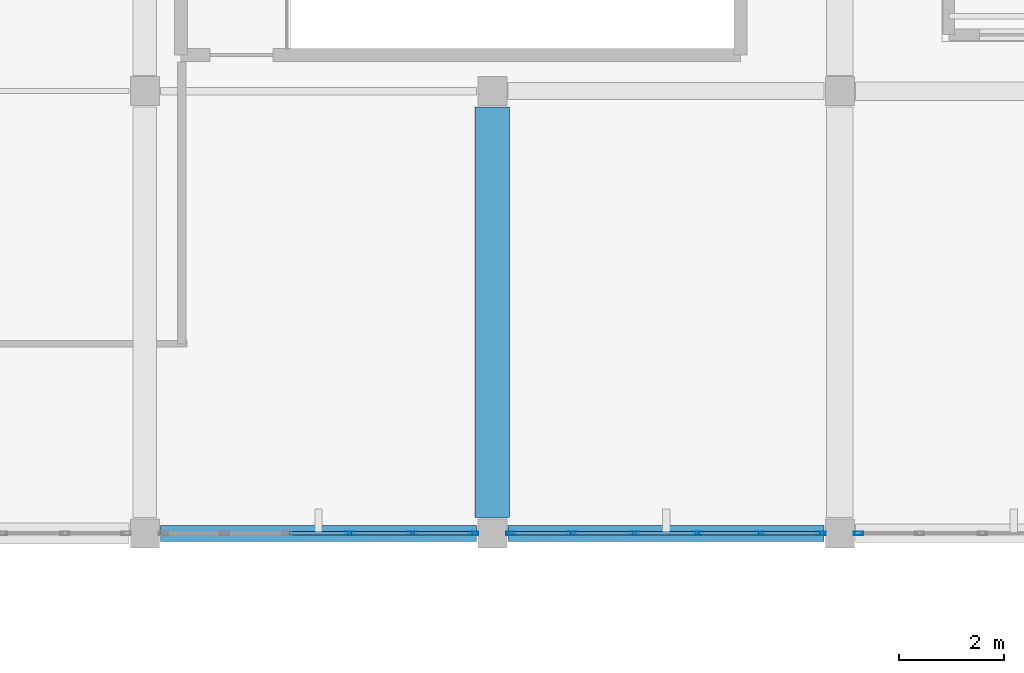
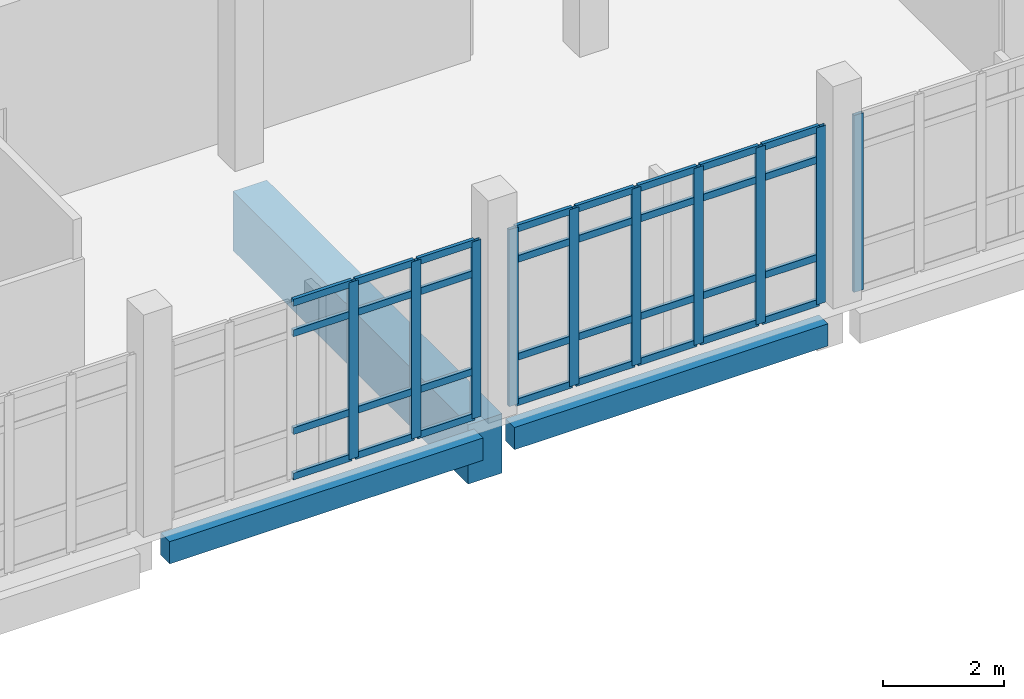
# One storey, part 83 of 134: 42 members, 3 beams, 3 elements without a shape of their own.
"""IFC4 building model written with IfcOpenShell, lengths in metres."""

from ifc_helpers import new_model, si_unit, direction, frame, origin, origin_2d, place, context, subcontext, project, spatial, rectangle, hollow_rectangle, extrude, material, material_profile, profile_set, type_object, element, aggregate, save


model = new_model("IFC4")

# Units and contexts
model_context = context("Model", 3, precision=1e-05, world=origin(), true_north=direction((0.0, 1.0)))
body_context = subcontext(model_context, "Body", "Model", "MODEL_VIEW")
ifc_project = project(units=[si_unit("LENGTHUNIT", "METRE"), si_unit("AREAUNIT", "SQUARE_METRE"), si_unit("VOLUMEUNIT", "CUBIC_METRE"), si_unit("PLANEANGLEUNIT", "RADIAN"), si_unit("MASSUNIT", "GRAM", prefix="KILO")], contexts=[model_context])

# Site, building, storey
site_placement = place(None, origin())
site = spatial("IfcSite", under=ifc_project, at=site_placement, CompositionType="ELEMENT")
building_placement = place(site_placement, origin())
building = spatial("IfcBuilding", under=site, at=building_placement, Name="Kalluvel Institute of Natural Sciences", CompositionType="ELEMENT")
storey_placement = place(building_placement, frame((0.0, 0.0, 5.39990234375)))
storey = spatial("IfcBuildingStorey", under=building, at=storey_placement, Name="L01", CompositionType="ELEMENT", Elevation=5.39990234375)

# Beam
ifc_material_1 = material(Name="Concrete M50", Category="concrete")
ifc_material_profile_1 = material_profile(ifc_material_1, rectangle(XDim=0.64990234375, YDim=1.199951171875, at=origin_2d()), Name="RCB 650x1200")
ifc_profile_set_1 = profile_set([ifc_material_profile_1], Name="Concrete M50")
beam_type_1 = type_object("IfcBeamType", Name="BM-RC650x1200", PredefinedType="BEAM", material=ifc_profile_set_1)
beam_placement = place(storey_placement, frame((155.60009765625, 103.10009765625, -0.9599609375), z_axis=(0.0, 1.0, 0.0), x_axis=(-1.0, 0.0, 0.0)))
element("IfcBeam", 1, at=beam_placement, inside=storey, type_object=beam_type_1, Name="L01 girder GIR-L01-NS-X1556-Y1028", PredefinedType="BEAM", context=body_context, shape_type="SweptSolid", body=[
    extrude(rectangle(XDim=0.64990234375, YDim=1.199951171875, at=origin_2d()), origin(), (0.0, 0.0, 1.0), 7.7998046875),
])

# Curtain wall, members
ifc_material_2 = material(Name="Aluminium AW-6063 T6", Category="aluminium")
curtain_wall_type = type_object("IfcCurtainWallType", Name="CW-CLN-45", PredefinedType="USERDEFINED", material=ifc_material_2)
curtain_wall_1_placement = place(storey_placement, origin())
curtain_wall_1 = element("IfcCurtainWall", 2, at=curtain_wall_1_placement, inside=storey, type_object=curtain_wall_type, Name="L01 Gothic lancet curtain wall CWA-L01-X1493-Y1028", ObjectType="UNITISED LANCET FACADE", PredefinedType="USERDEFINED")
ifc_material_profile_2 = material_profile(ifc_material_2, hollow_rectangle(XDim=0.06494140625, YDim=0.179931640625, WallThickness=0.00439453125, at=origin_2d()), Name="CWM 65x180")
ifc_profile_set_2 = profile_set([ifc_material_profile_2], Name="Aluminium AW-6063 T6")
member_type_1 = type_object("IfcMemberType", Name="CWM-65x180", PredefinedType="MULLION", material=ifc_profile_set_2)
member_1_placement = place(storey_placement, frame((152.89501953125, 102.800048828125, 0.0), z_axis=(0.0, 0.0, 1.0), x_axis=(0.0, 1.0, 0.0)))
member_1 = element("IfcMember", 3, at=member_1_placement, type_object=member_type_1, Name="CW-08 mullion 4", PredefinedType="MULLION", context=body_context, shape_type="SweptSolid", body=[
    extrude(hollow_rectangle(XDim=0.06494140625, YDim=0.179931640625, WallThickness=0.00439453125, at=origin_2d()), origin(), (0.0, 0.0, 1.0), 3.580078125),
])
member_2_placement = place(storey_placement, frame((154.0849609375, 102.800048828125, 0.0), z_axis=(0.0, 0.0, 1.0), x_axis=(0.0, 1.0, 0.0)))
member_2 = element("IfcMember", 4, at=member_2_placement, type_object=member_type_1, Name="CW-08 mullion 5", PredefinedType="MULLION", context=body_context, shape_type="SweptSolid", body=[
    extrude(hollow_rectangle(XDim=0.06494140625, YDim=0.179931640625, WallThickness=0.00439453125, at=origin_2d()), origin(), (0.0, 0.0, 1.0), 3.580078125),
])
member_3_placement = place(storey_placement, frame((155.242431640625, 102.800048828125, 0.0), z_axis=(0.0, 0.0, 1.0), x_axis=(0.0, 1.0, 0.0)))
member_3 = element("IfcMember", 5, at=member_3_placement, type_object=member_type_1, Name="CW-08 mullion 6", PredefinedType="MULLION", context=body_context, shape_type="SweptSolid", body=[
    extrude(hollow_rectangle(XDim=0.06494140625, YDim=0.179931640625, WallThickness=0.00439453125, at=origin_2d()), origin(), (0.0, 0.0, 1.0), 3.580078125),
])

curtain_wall_2_placement = place(storey_placement, origin())
curtain_wall_2 = element("IfcCurtainWall", 6, at=curtain_wall_2_placement, inside=storey, type_object=curtain_wall_type, Name="L01 Gothic lancet curtain wall CWA-L01-X1559-Y1028", ObjectType="UNITISED LANCET FACADE", PredefinedType="USERDEFINED")
member_4_placement = place(storey_placement, frame((155.95751953125, 102.800048828125, 0.0), z_axis=(0.0, 0.0, 1.0), x_axis=(0.0, 1.0, 0.0)))
member_4 = element("IfcMember", 7, at=member_4_placement, type_object=member_type_1, Name="CW-08 mullion 1", PredefinedType="MULLION", context=body_context, shape_type="SweptSolid", body=[
    extrude(hollow_rectangle(XDim=0.06494140625, YDim=0.179931640625, WallThickness=0.00439453125, at=origin_2d()), origin(), (0.0, 0.0, 1.0), 3.580078125),
])
member_5_placement = place(storey_placement, frame((157.114990234375, 102.800048828125, 0.0), z_axis=(0.0, 0.0, 1.0), x_axis=(0.0, 1.0, 0.0)))
member_5 = element("IfcMember", 8, at=member_5_placement, type_object=member_type_1, Name="CW-08 mullion 2", PredefinedType="MULLION", context=body_context, shape_type="SweptSolid", body=[
    extrude(hollow_rectangle(XDim=0.06494140625, YDim=0.179931640625, WallThickness=0.00439453125, at=origin_2d()), origin(), (0.0, 0.0, 1.0), 3.580078125),
])
member_6_placement = place(storey_placement, frame((158.304931640625, 102.800048828125, 0.0), z_axis=(0.0, 0.0, 1.0), x_axis=(0.0, 1.0, 0.0)))
member_6 = element("IfcMember", 9, at=member_6_placement, type_object=member_type_1, Name="CW-08 mullion 3", PredefinedType="MULLION", context=body_context, shape_type="SweptSolid", body=[
    extrude(hollow_rectangle(XDim=0.06494140625, YDim=0.179931640625, WallThickness=0.00439453125, at=origin_2d()), origin(), (0.0, 0.0, 1.0), 3.580078125),
])
member_7_placement = place(storey_placement, frame((159.4951171875, 102.800048828125, 0.0), z_axis=(0.0, 0.0, 1.0), x_axis=(0.0, 1.0, 0.0)))
member_7 = element("IfcMember", 10, at=member_7_placement, type_object=member_type_1, Name="CW-08 mullion 4", PredefinedType="MULLION", context=body_context, shape_type="SweptSolid", body=[
    extrude(hollow_rectangle(XDim=0.06494140625, YDim=0.179931640625, WallThickness=0.00439453125, at=origin_2d()), origin(), (0.0, 0.0, 1.0), 3.580078125),
])
member_8_placement = place(storey_placement, frame((160.68505859375, 102.800048828125, 0.0), z_axis=(0.0, 0.0, 1.0), x_axis=(0.0, 1.0, 0.0)))
member_8 = element("IfcMember", 11, at=member_8_placement, type_object=member_type_1, Name="CW-08 mullion 5", PredefinedType="MULLION", context=body_context, shape_type="SweptSolid", body=[
    extrude(hollow_rectangle(XDim=0.06494140625, YDim=0.179931640625, WallThickness=0.00439453125, at=origin_2d()), origin(), (0.0, 0.0, 1.0), 3.580078125),
])
member_9_placement = place(storey_placement, frame((161.842529296875, 102.800048828125, 0.0), z_axis=(0.0, 0.0, 1.0), x_axis=(0.0, 1.0, 0.0)))
member_9 = element("IfcMember", 12, at=member_9_placement, type_object=member_type_1, Name="CW-08 mullion 6", PredefinedType="MULLION", context=body_context, shape_type="SweptSolid", body=[
    extrude(hollow_rectangle(XDim=0.06494140625, YDim=0.179931640625, WallThickness=0.00439453125, at=origin_2d()), origin(), (0.0, 0.0, 1.0), 3.580078125),
])

# Curtain wall, member
curtain_wall_3_placement = place(storey_placement, origin())
curtain_wall_3 = element("IfcCurtainWall", 13, at=curtain_wall_3_placement, inside=storey, type_object=curtain_wall_type, Name="L01 Gothic lancet curtain wall CWA-L01-X1625-Y1028", ObjectType="UNITISED LANCET FACADE", PredefinedType="USERDEFINED")
member_10_placement = place(storey_placement, frame((162.5576171875, 102.800048828125, 0.0), z_axis=(0.0, 0.0, 1.0), x_axis=(0.0, 1.0, 0.0)))
member_10 = element("IfcMember", 14, at=member_10_placement, type_object=member_type_1, Name="CW-08 mullion 1", PredefinedType="MULLION", context=body_context, shape_type="SweptSolid", body=[
    extrude(hollow_rectangle(XDim=0.06494140625, YDim=0.179931640625, WallThickness=0.00439453125, at=origin_2d()), origin(), (0.0, 0.0, 1.0), 3.580078125),
])
aggregate(curtain_wall_3, [member_10])

# Member
ifc_material_profile_3 = material_profile(ifc_material_2, hollow_rectangle(XDim=0.06494140625, YDim=0.139892578125, WallThickness=0.00439453125, at=origin_2d()), Name="CWT 65x140")
ifc_profile_set_3 = profile_set([ifc_material_profile_3], Name="Aluminium AW-6063 T6")
member_type_2 = type_object("IfcMemberType", Name="CWT-65x140", PredefinedType="USERDEFINED", material=ifc_profile_set_3)
member_11_placement = place(storey_placement, frame((151.737548828125, 102.800048828125, 0.03271484375), z_axis=(1.0, 0.0, 0.0), x_axis=(0.0, 1.0, 0.0)))
member_11 = element("IfcMember", 15, at=member_11_placement, type_object=member_type_2, Name="CW-08 transom 3.1", ObjectType="TRANSOM", PredefinedType="USERDEFINED", context=body_context, shape_type="SweptSolid", body=[
    extrude(hollow_rectangle(XDim=0.06494140625, YDim=0.139892578125, WallThickness=0.00439453125, at=origin_2d()), origin(), (0.0, 0.0, 1.0), 1.125),
])

member_12_placement = place(storey_placement, frame((151.737548828125, 102.800048828125, 0.9501953125), z_axis=(1.0, 0.0, 0.0), x_axis=(0.0, 1.0, 0.0)))
member_12 = element("IfcMember", 16, at=member_12_placement, type_object=member_type_2, Name="CW-08 transom 3.2", ObjectType="TRANSOM", PredefinedType="USERDEFINED", context=body_context, shape_type="SweptSolid", body=[
    extrude(hollow_rectangle(XDim=0.06494140625, YDim=0.139892578125, WallThickness=0.00439453125, at=origin_2d()), origin(), (0.0, 0.0, 1.0), 1.125),
])

member_13_placement = place(storey_placement, frame((151.737548828125, 102.800048828125, 2.93017578125), z_axis=(1.0, 0.0, 0.0), x_axis=(0.0, 1.0, 0.0)))
member_13 = element("IfcMember", 17, at=member_13_placement, type_object=member_type_2, Name="CW-08 transom 3.3", ObjectType="TRANSOM", PredefinedType="USERDEFINED", context=body_context, shape_type="SweptSolid", body=[
    extrude(hollow_rectangle(XDim=0.06494140625, YDim=0.139892578125, WallThickness=0.00439453125, at=origin_2d()), origin(), (0.0, 0.0, 1.0), 1.125),
])

member_14_placement = place(storey_placement, frame((151.737548828125, 102.800048828125, 3.547607421875), z_axis=(1.0, 0.0, 0.0), x_axis=(0.0, 1.0, 0.0)))
member_14 = element("IfcMember", 18, at=member_14_placement, type_object=member_type_2, Name="CW-08 transom 3.4", ObjectType="TRANSOM", PredefinedType="USERDEFINED", context=body_context, shape_type="SweptSolid", body=[
    extrude(hollow_rectangle(XDim=0.06494140625, YDim=0.139892578125, WallThickness=0.00439453125, at=origin_2d()), origin(), (0.0, 0.0, 1.0), 1.125),
])

member_15_placement = place(storey_placement, frame((152.927490234375, 102.800048828125, 0.03271484375), z_axis=(1.0, 0.0, 0.0), x_axis=(0.0, 1.0, 0.0)))
member_15 = element("IfcMember", 19, at=member_15_placement, type_object=member_type_2, Name="CW-08 transom 4.1", ObjectType="TRANSOM", PredefinedType="USERDEFINED", context=body_context, shape_type="SweptSolid", body=[
    extrude(hollow_rectangle(XDim=0.06494140625, YDim=0.139892578125, WallThickness=0.00439453125, at=origin_2d()), origin(), (0.0, 0.0, 1.0), 1.125),
])

member_16_placement = place(storey_placement, frame((152.927490234375, 102.800048828125, 0.9501953125), z_axis=(1.0, 0.0, 0.0), x_axis=(0.0, 1.0, 0.0)))
member_16 = element("IfcMember", 20, at=member_16_placement, type_object=member_type_2, Name="CW-08 transom 4.2", ObjectType="TRANSOM", PredefinedType="USERDEFINED", context=body_context, shape_type="SweptSolid", body=[
    extrude(hollow_rectangle(XDim=0.06494140625, YDim=0.139892578125, WallThickness=0.00439453125, at=origin_2d()), origin(), (0.0, 0.0, 1.0), 1.125),
])

member_17_placement = place(storey_placement, frame((152.927490234375, 102.800048828125, 2.93017578125), z_axis=(1.0, 0.0, 0.0), x_axis=(0.0, 1.0, 0.0)))
member_17 = element("IfcMember", 21, at=member_17_placement, type_object=member_type_2, Name="CW-08 transom 4.3", ObjectType="TRANSOM", PredefinedType="USERDEFINED", context=body_context, shape_type="SweptSolid", body=[
    extrude(hollow_rectangle(XDim=0.06494140625, YDim=0.139892578125, WallThickness=0.00439453125, at=origin_2d()), origin(), (0.0, 0.0, 1.0), 1.125),
])

member_18_placement = place(storey_placement, frame((152.927490234375, 102.800048828125, 3.547607421875), z_axis=(1.0, 0.0, 0.0), x_axis=(0.0, 1.0, 0.0)))
member_18 = element("IfcMember", 22, at=member_18_placement, type_object=member_type_2, Name="CW-08 transom 4.4", ObjectType="TRANSOM", PredefinedType="USERDEFINED", context=body_context, shape_type="SweptSolid", body=[
    extrude(hollow_rectangle(XDim=0.06494140625, YDim=0.139892578125, WallThickness=0.00439453125, at=origin_2d()), origin(), (0.0, 0.0, 1.0), 1.125),
])

member_19_placement = place(storey_placement, frame((154.117431640625, 102.800048828125, 0.03271484375), z_axis=(1.0, 0.0, 0.0), x_axis=(0.0, 1.0, 0.0)))
member_19 = element("IfcMember", 23, at=member_19_placement, type_object=member_type_2, Name="CW-08 transom 5.1", ObjectType="TRANSOM", PredefinedType="USERDEFINED", context=body_context, shape_type="SweptSolid", body=[
    extrude(hollow_rectangle(XDim=0.06494140625, YDim=0.139892578125, WallThickness=0.00439453125, at=origin_2d()), origin(), (0.0, 0.0, 1.0), 1.092529296875),
])

member_20_placement = place(storey_placement, frame((154.117431640625, 102.800048828125, 0.9501953125), z_axis=(1.0, 0.0, 0.0), x_axis=(0.0, 1.0, 0.0)))
member_20 = element("IfcMember", 24, at=member_20_placement, type_object=member_type_2, Name="CW-08 transom 5.2", ObjectType="TRANSOM", PredefinedType="USERDEFINED", context=body_context, shape_type="SweptSolid", body=[
    extrude(hollow_rectangle(XDim=0.06494140625, YDim=0.139892578125, WallThickness=0.00439453125, at=origin_2d()), origin(), (0.0, 0.0, 1.0), 1.092529296875),
])

member_21_placement = place(storey_placement, frame((154.117431640625, 102.800048828125, 2.93017578125), z_axis=(1.0, 0.0, 0.0), x_axis=(0.0, 1.0, 0.0)))
member_21 = element("IfcMember", 25, at=member_21_placement, type_object=member_type_2, Name="CW-08 transom 5.3", ObjectType="TRANSOM", PredefinedType="USERDEFINED", context=body_context, shape_type="SweptSolid", body=[
    extrude(hollow_rectangle(XDim=0.06494140625, YDim=0.139892578125, WallThickness=0.00439453125, at=origin_2d()), origin(), (0.0, 0.0, 1.0), 1.092529296875),
])

member_22_placement = place(storey_placement, frame((154.117431640625, 102.800048828125, 3.547607421875), z_axis=(1.0, 0.0, 0.0), x_axis=(0.0, 1.0, 0.0)))
member_22 = element("IfcMember", 26, at=member_22_placement, type_object=member_type_2, Name="CW-08 transom 5.4", ObjectType="TRANSOM", PredefinedType="USERDEFINED", context=body_context, shape_type="SweptSolid", body=[
    extrude(hollow_rectangle(XDim=0.06494140625, YDim=0.139892578125, WallThickness=0.00439453125, at=origin_2d()), origin(), (0.0, 0.0, 1.0), 1.092529296875),
])

aggregate(curtain_wall_1, [member_1, member_2, member_3, member_11, member_12, member_13, member_14, member_15, member_16, member_17, member_18, member_19, member_20, member_21, member_22])

member_23_placement = place(storey_placement, frame((155.989990234375, 102.800048828125, 0.03271484375), z_axis=(1.0, 0.0, 0.0), x_axis=(0.0, 1.0, 0.0)))
member_23 = element("IfcMember", 27, at=member_23_placement, type_object=member_type_2, Name="CW-08 transom 1.1", ObjectType="TRANSOM", PredefinedType="USERDEFINED", context=body_context, shape_type="SweptSolid", body=[
    extrude(hollow_rectangle(XDim=0.06494140625, YDim=0.139892578125, WallThickness=0.00439453125, at=origin_2d()), origin(), (0.0, 0.0, 1.0), 1.092529296875),
])

member_24_placement = place(storey_placement, frame((155.989990234375, 102.800048828125, 0.9501953125), z_axis=(1.0, 0.0, 0.0), x_axis=(0.0, 1.0, 0.0)))
member_24 = element("IfcMember", 28, at=member_24_placement, type_object=member_type_2, Name="CW-08 transom 1.2", ObjectType="TRANSOM", PredefinedType="USERDEFINED", context=body_context, shape_type="SweptSolid", body=[
    extrude(hollow_rectangle(XDim=0.06494140625, YDim=0.139892578125, WallThickness=0.00439453125, at=origin_2d()), origin(), (0.0, 0.0, 1.0), 1.092529296875),
])

member_25_placement = place(storey_placement, frame((155.989990234375, 102.800048828125, 2.93017578125), z_axis=(1.0, 0.0, 0.0), x_axis=(0.0, 1.0, 0.0)))
member_25 = element("IfcMember", 29, at=member_25_placement, type_object=member_type_2, Name="CW-08 transom 1.3", ObjectType="TRANSOM", PredefinedType="USERDEFINED", context=body_context, shape_type="SweptSolid", body=[
    extrude(hollow_rectangle(XDim=0.06494140625, YDim=0.139892578125, WallThickness=0.00439453125, at=origin_2d()), origin(), (0.0, 0.0, 1.0), 1.092529296875),
])

member_26_placement = place(storey_placement, frame((155.989990234375, 102.800048828125, 3.547607421875), z_axis=(1.0, 0.0, 0.0), x_axis=(0.0, 1.0, 0.0)))
member_26 = element("IfcMember", 30, at=member_26_placement, type_object=member_type_2, Name="CW-08 transom 1.4", ObjectType="TRANSOM", PredefinedType="USERDEFINED", context=body_context, shape_type="SweptSolid", body=[
    extrude(hollow_rectangle(XDim=0.06494140625, YDim=0.139892578125, WallThickness=0.00439453125, at=origin_2d()), origin(), (0.0, 0.0, 1.0), 1.092529296875),
])

member_27_placement = place(storey_placement, frame((157.1474609375, 102.800048828125, 0.03271484375), z_axis=(1.0, 0.0, 0.0), x_axis=(0.0, 1.0, 0.0)))
member_27 = element("IfcMember", 31, at=member_27_placement, type_object=member_type_2, Name="CW-08 transom 2.1", ObjectType="TRANSOM", PredefinedType="USERDEFINED", context=body_context, shape_type="SweptSolid", body=[
    extrude(hollow_rectangle(XDim=0.06494140625, YDim=0.139892578125, WallThickness=0.00439453125, at=origin_2d()), origin(), (0.0, 0.0, 1.0), 1.125),
])

member_28_placement = place(storey_placement, frame((157.1474609375, 102.800048828125, 0.9501953125), z_axis=(1.0, 0.0, 0.0), x_axis=(0.0, 1.0, 0.0)))
member_28 = element("IfcMember", 32, at=member_28_placement, type_object=member_type_2, Name="CW-08 transom 2.2", ObjectType="TRANSOM", PredefinedType="USERDEFINED", context=body_context, shape_type="SweptSolid", body=[
    extrude(hollow_rectangle(XDim=0.06494140625, YDim=0.139892578125, WallThickness=0.00439453125, at=origin_2d()), origin(), (0.0, 0.0, 1.0), 1.125),
])

member_29_placement = place(storey_placement, frame((157.1474609375, 102.800048828125, 2.93017578125), z_axis=(1.0, 0.0, 0.0), x_axis=(0.0, 1.0, 0.0)))
member_29 = element("IfcMember", 33, at=member_29_placement, type_object=member_type_2, Name="CW-08 transom 2.3", ObjectType="TRANSOM", PredefinedType="USERDEFINED", context=body_context, shape_type="SweptSolid", body=[
    extrude(hollow_rectangle(XDim=0.06494140625, YDim=0.139892578125, WallThickness=0.00439453125, at=origin_2d()), origin(), (0.0, 0.0, 1.0), 1.125),
])

member_30_placement = place(storey_placement, frame((157.1474609375, 102.800048828125, 3.547607421875), z_axis=(1.0, 0.0, 0.0), x_axis=(0.0, 1.0, 0.0)))
member_30 = element("IfcMember", 34, at=member_30_placement, type_object=member_type_2, Name="CW-08 transom 2.4", ObjectType="TRANSOM", PredefinedType="USERDEFINED", context=body_context, shape_type="SweptSolid", body=[
    extrude(hollow_rectangle(XDim=0.06494140625, YDim=0.139892578125, WallThickness=0.00439453125, at=origin_2d()), origin(), (0.0, 0.0, 1.0), 1.125),
])

member_31_placement = place(storey_placement, frame((158.33740234375, 102.800048828125, 0.03271484375), z_axis=(1.0, 0.0, 0.0), x_axis=(0.0, 1.0, 0.0)))
member_31 = element("IfcMember", 35, at=member_31_placement, type_object=member_type_2, Name="CW-08 transom 3.1", ObjectType="TRANSOM", PredefinedType="USERDEFINED", context=body_context, shape_type="SweptSolid", body=[
    extrude(hollow_rectangle(XDim=0.06494140625, YDim=0.139892578125, WallThickness=0.00439453125, at=origin_2d()), origin(), (0.0, 0.0, 1.0), 1.125),
])

member_32_placement = place(storey_placement, frame((158.33740234375, 102.800048828125, 0.9501953125), z_axis=(1.0, 0.0, 0.0), x_axis=(0.0, 1.0, 0.0)))
member_32 = element("IfcMember", 36, at=member_32_placement, type_object=member_type_2, Name="CW-08 transom 3.2", ObjectType="TRANSOM", PredefinedType="USERDEFINED", context=body_context, shape_type="SweptSolid", body=[
    extrude(hollow_rectangle(XDim=0.06494140625, YDim=0.139892578125, WallThickness=0.00439453125, at=origin_2d()), origin(), (0.0, 0.0, 1.0), 1.125),
])

member_33_placement = place(storey_placement, frame((158.33740234375, 102.800048828125, 2.93017578125), z_axis=(1.0, 0.0, 0.0), x_axis=(0.0, 1.0, 0.0)))
member_33 = element("IfcMember", 37, at=member_33_placement, type_object=member_type_2, Name="CW-08 transom 3.3", ObjectType="TRANSOM", PredefinedType="USERDEFINED", context=body_context, shape_type="SweptSolid", body=[
    extrude(hollow_rectangle(XDim=0.06494140625, YDim=0.139892578125, WallThickness=0.00439453125, at=origin_2d()), origin(), (0.0, 0.0, 1.0), 1.125),
])

member_34_placement = place(storey_placement, frame((158.33740234375, 102.800048828125, 3.547607421875), z_axis=(1.0, 0.0, 0.0), x_axis=(0.0, 1.0, 0.0)))
member_34 = element("IfcMember", 38, at=member_34_placement, type_object=member_type_2, Name="CW-08 transom 3.4", ObjectType="TRANSOM", PredefinedType="USERDEFINED", context=body_context, shape_type="SweptSolid", body=[
    extrude(hollow_rectangle(XDim=0.06494140625, YDim=0.139892578125, WallThickness=0.00439453125, at=origin_2d()), origin(), (0.0, 0.0, 1.0), 1.125),
])

member_35_placement = place(storey_placement, frame((159.527587890625, 102.800048828125, 0.03271484375), z_axis=(1.0, 0.0, 0.0), x_axis=(0.0, 1.0, 0.0)))
member_35 = element("IfcMember", 39, at=member_35_placement, type_object=member_type_2, Name="CW-08 transom 4.1", ObjectType="TRANSOM", PredefinedType="USERDEFINED", context=body_context, shape_type="SweptSolid", body=[
    extrude(hollow_rectangle(XDim=0.06494140625, YDim=0.139892578125, WallThickness=0.00439453125, at=origin_2d()), origin(), (0.0, 0.0, 1.0), 1.125),
])

member_36_placement = place(storey_placement, frame((159.527587890625, 102.800048828125, 0.9501953125), z_axis=(1.0, 0.0, 0.0), x_axis=(0.0, 1.0, 0.0)))
member_36 = element("IfcMember", 40, at=member_36_placement, type_object=member_type_2, Name="CW-08 transom 4.2", ObjectType="TRANSOM", PredefinedType="USERDEFINED", context=body_context, shape_type="SweptSolid", body=[
    extrude(hollow_rectangle(XDim=0.06494140625, YDim=0.139892578125, WallThickness=0.00439453125, at=origin_2d()), origin(), (0.0, 0.0, 1.0), 1.125),
])

member_37_placement = place(storey_placement, frame((159.527587890625, 102.800048828125, 2.93017578125), z_axis=(1.0, 0.0, 0.0), x_axis=(0.0, 1.0, 0.0)))
member_37 = element("IfcMember", 41, at=member_37_placement, type_object=member_type_2, Name="CW-08 transom 4.3", ObjectType="TRANSOM", PredefinedType="USERDEFINED", context=body_context, shape_type="SweptSolid", body=[
    extrude(hollow_rectangle(XDim=0.06494140625, YDim=0.139892578125, WallThickness=0.00439453125, at=origin_2d()), origin(), (0.0, 0.0, 1.0), 1.125),
])

member_38_placement = place(storey_placement, frame((159.527587890625, 102.800048828125, 3.547607421875), z_axis=(1.0, 0.0, 0.0), x_axis=(0.0, 1.0, 0.0)))
member_38 = element("IfcMember", 42, at=member_38_placement, type_object=member_type_2, Name="CW-08 transom 4.4", ObjectType="TRANSOM", PredefinedType="USERDEFINED", context=body_context, shape_type="SweptSolid", body=[
    extrude(hollow_rectangle(XDim=0.06494140625, YDim=0.139892578125, WallThickness=0.00439453125, at=origin_2d()), origin(), (0.0, 0.0, 1.0), 1.125),
])

member_39_placement = place(storey_placement, frame((160.717529296875, 102.800048828125, 0.03271484375), z_axis=(1.0, 0.0, 0.0), x_axis=(0.0, 1.0, 0.0)))
member_39 = element("IfcMember", 43, at=member_39_placement, type_object=member_type_2, Name="CW-08 transom 5.1", ObjectType="TRANSOM", PredefinedType="USERDEFINED", context=body_context, shape_type="SweptSolid", body=[
    extrude(hollow_rectangle(XDim=0.06494140625, YDim=0.139892578125, WallThickness=0.00439453125, at=origin_2d()), origin(), (0.0, 0.0, 1.0), 1.092529296875),
])

member_40_placement = place(storey_placement, frame((160.717529296875, 102.800048828125, 0.9501953125), z_axis=(1.0, 0.0, 0.0), x_axis=(0.0, 1.0, 0.0)))
member_40 = element("IfcMember", 44, at=member_40_placement, type_object=member_type_2, Name="CW-08 transom 5.2", ObjectType="TRANSOM", PredefinedType="USERDEFINED", context=body_context, shape_type="SweptSolid", body=[
    extrude(hollow_rectangle(XDim=0.06494140625, YDim=0.139892578125, WallThickness=0.00439453125, at=origin_2d()), origin(), (0.0, 0.0, 1.0), 1.092529296875),
])

member_41_placement = place(storey_placement, frame((160.717529296875, 102.800048828125, 2.93017578125), z_axis=(1.0, 0.0, 0.0), x_axis=(0.0, 1.0, 0.0)))
member_41 = element("IfcMember", 45, at=member_41_placement, type_object=member_type_2, Name="CW-08 transom 5.3", ObjectType="TRANSOM", PredefinedType="USERDEFINED", context=body_context, shape_type="SweptSolid", body=[
    extrude(hollow_rectangle(XDim=0.06494140625, YDim=0.139892578125, WallThickness=0.00439453125, at=origin_2d()), origin(), (0.0, 0.0, 1.0), 1.092529296875),
])

member_42_placement = place(storey_placement, frame((160.717529296875, 102.800048828125, 3.547607421875), z_axis=(1.0, 0.0, 0.0), x_axis=(0.0, 1.0, 0.0)))
member_42 = element("IfcMember", 46, at=member_42_placement, type_object=member_type_2, Name="CW-08 transom 5.4", ObjectType="TRANSOM", PredefinedType="USERDEFINED", context=body_context, shape_type="SweptSolid", body=[
    extrude(hollow_rectangle(XDim=0.06494140625, YDim=0.139892578125, WallThickness=0.00439453125, at=origin_2d()), origin(), (0.0, 0.0, 1.0), 1.092529296875),
])

aggregate(curtain_wall_2, [member_4, member_5, member_6, member_7, member_8, member_9, member_23, member_24, member_25, member_26, member_27, member_28, member_29, member_30, member_31, member_32, member_33, member_34, member_35, member_36, member_37, member_38, member_39, member_40, member_41, member_42])

# Beams
ifc_material_3 = material(Name="Concrete M40", Category="concrete")
ifc_material_profile_4 = material_profile(ifc_material_3, rectangle(XDim=0.300048828125, YDim=0.449951171875, at=origin_2d()), Name="RCB 300x450")
ifc_profile_set_4 = profile_set([ifc_material_profile_4], Name="Concrete M40")
beam_type_2 = type_object("IfcBeamType", Name="SP-RC300x450", PredefinedType="SPANDREL", material=ifc_profile_set_4)
for number, where, z_axis, x_axis, name in (
    (47, (149.300048828125, 102.800048828125, -0.5849609375), (1.0, 0.0, 0.0), (0.0, 1.0, 0.0), "L01 girder GIR-L01-EW-X1490-Y1028"),
    (48, (155.89990234375, 102.800048828125, -0.5849609375), (1.0, 0.0, 0.0), (0.0, 1.0, 0.0), "L01 girder GIR-L01-EW-X1556-Y1028"),
):
    element("IfcBeam", number, at=place(storey_placement, frame(where, z_axis=z_axis, x_axis=x_axis)), inside=storey, type_object=beam_type_2, Name=name, PredefinedType="SPANDREL", context=body_context, shape_type="SweptSolid", body=[
        extrude(rectangle(XDim=0.300048828125, YDim=0.449951171875, at=origin_2d()), origin(), (0.0, 0.0, 1.0), 6.0),
    ])

save(model, "model.ifc")
